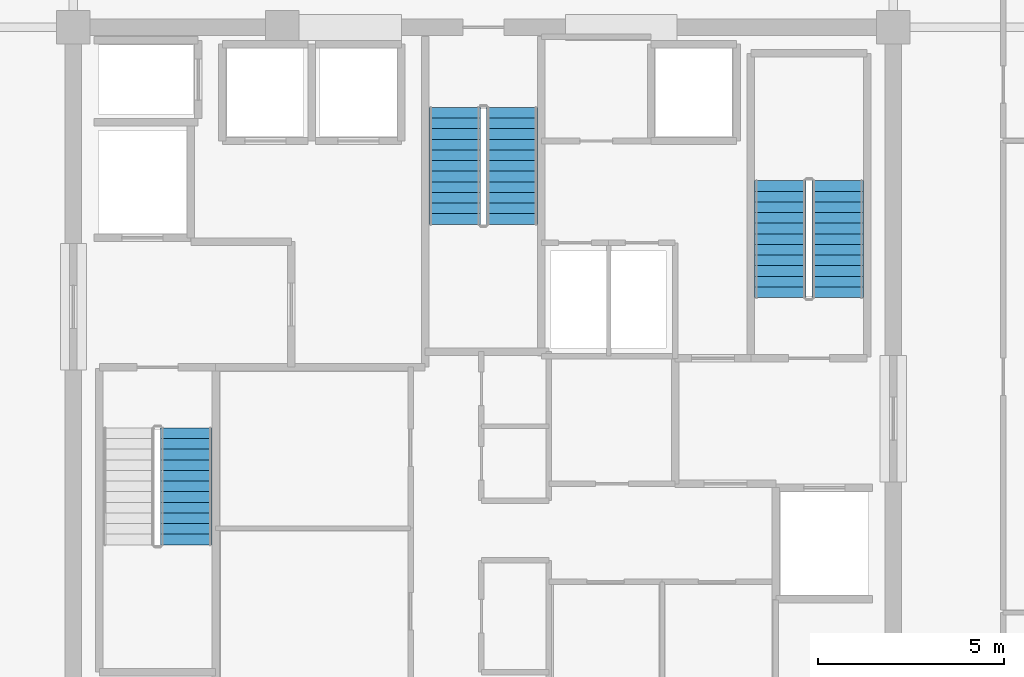
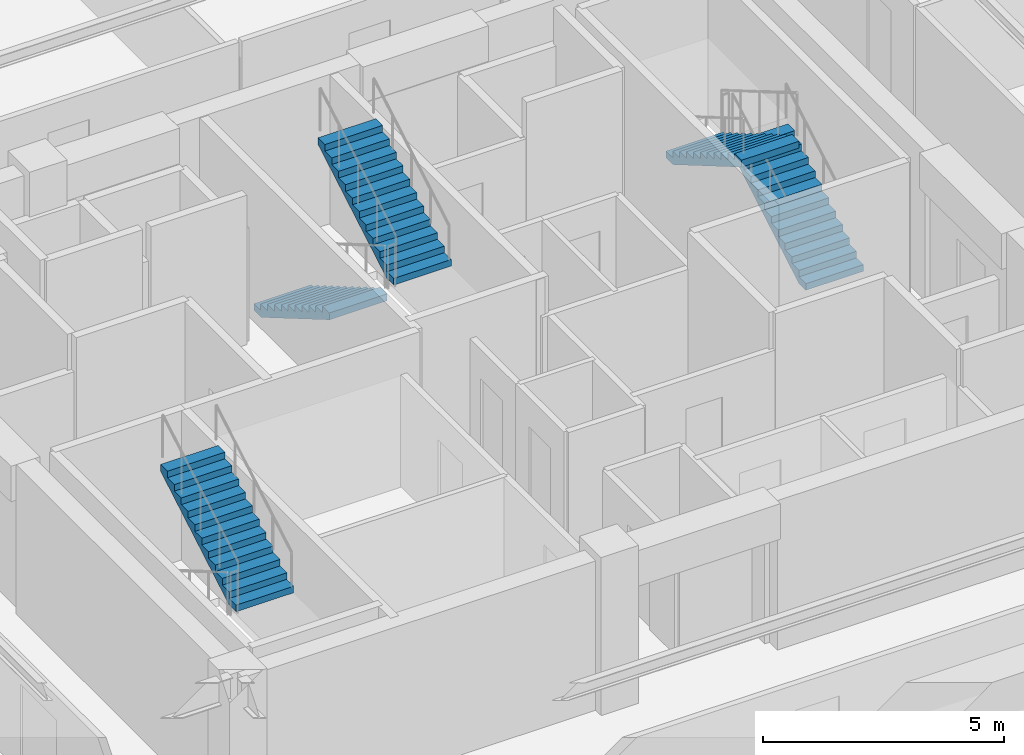
# One storey, part 19 of 23: 5 stair flights, 3 elements without a shape of their own.
"""IFC4 building model written with IfcOpenShell, lengths in metres."""

from ifc_helpers import new_model, si_unit, direction, frame, origin, place, context, subcontext, project, spatial, polyline, outline, extrude, material, type_object, element, aggregate, save


model = new_model("IFC4")

# Units and contexts
model_context = context("Model", 3, precision=1e-05, world=origin(), true_north=direction((0.0, 1.0)))
body_context = subcontext(model_context, "Body", "Model", "MODEL_VIEW")
ifc_project = project(units=[si_unit("LENGTHUNIT", "METRE"), si_unit("AREAUNIT", "SQUARE_METRE"), si_unit("VOLUMEUNIT", "CUBIC_METRE"), si_unit("PLANEANGLEUNIT", "RADIAN"), si_unit("MASSUNIT", "GRAM", prefix="KILO")], contexts=[model_context])

# Site, building, storey
site_placement = place(None, origin())
site = spatial("IfcSite", under=ifc_project, at=site_placement, CompositionType="ELEMENT")
building_placement = place(site_placement, origin())
building = spatial("IfcBuilding", under=site, at=building_placement, Name="Kovane Verandah Tower", CompositionType="ELEMENT")
storey_placement = place(building_placement, frame((0.0, 0.0, 267.199951171875)))
storey = spatial("IfcBuildingStorey", under=building, at=storey_placement, Name="L62", CompositionType="ELEMENT", Elevation=267.199951171875)

# Stair, stair flight
ifc_material = material(Name="Concrete C45/55", Category="concrete")
stair_type = type_object("IfcStairType", Name="ST-CORE-1380", PredefinedType="HALF_TURN_STAIR", material=ifc_material)
stair_1_placement = place(storey_placement, origin())
stair_1 = element("IfcStair", 1, at=stair_1_placement, inside=storey, type_object=stair_type, Name="L62 Exit Stair ST-01", PredefinedType="HALF_TURN_STAIR")
stair_flight_type = type_object("IfcStairFlightType", Name="STF-CORE-1380", PredefinedType="STRAIGHT", material=ifc_material)
stair_flight_1_placement = place(storey_placement, frame((32.030029296875, 22.614990234375, 2.0), z_axis=(0.0, 0.0, 1.0), x_axis=(0.0, 1.0, 0.0)))
stair_flight_1 = element("IfcStairFlight", 2, at=stair_flight_1_placement, type_object=stair_flight_type, Name="ST-01 flight 2", NumberOfRisers=12, NumberOfTreads=11, PredefinedType="STRAIGHT", RiserHeight=0.166666667, TreadLength=0.285, context=body_context, shape_type="SweptSolid", body=[
    extrude(outline(polyline([(0.0, 0.0), (0.0, 0.166748046875), (0.284912109375, 0.166748046875), (0.284912109375, 0.333251953125), (0.570068359375, 0.333251953125), (0.570068359375, 0.5), (0.85498046875, 0.5), (0.85498046875, 0.666748046875), (1.139892578125, 0.666748046875), (1.139892578125, 0.833251953125), (1.425048828125, 0.833251953125), (1.425048828125, 1.0), (1.7099609375, 1.0), (1.7099609375, 1.166748046875), (1.9951171875, 1.166748046875), (1.9951171875, 1.333251953125), (2.280029296875, 1.333251953125), (2.280029296875, 1.5), (2.56494140625, 1.5), (2.56494140625, 1.666748046875), (2.85009765625, 1.666748046875), (2.85009765625, 1.833251953125), (3.135009765625, 1.833251953125), (3.135009765625, 2.0), (3.135009765625, 1.65966796875), (0.296875, 0.0), (0.0, 0.0)])), frame((0.0, 0.68994140625, 0.0), z_axis=(0.0, -1.0, 0.0), x_axis=(1.0, 0.0, 0.0)), (0.0, 0.0, 1.0), 1.3798828125),
])
aggregate(stair_1, [stair_flight_1])

# Stair, stair flights
stair_2_placement = place(storey_placement, origin())
stair_2 = element("IfcStair", 3, at=stair_2_placement, inside=storey, type_object=stair_type, Name="L62 Exit Stair ST-02", PredefinedType="HALF_TURN_STAIR")
stair_flight_2_placement = place(storey_placement, frame((49.510009765625, 29.25, 0.0), z_axis=(0.0, 0.0, 1.0), x_axis=(0.0, 1.0, 0.0)))
stair_flight_2 = element("IfcStairFlight", 4, at=stair_flight_2_placement, type_object=stair_flight_type, Name="ST-02 flight 1", NumberOfRisers=12, NumberOfTreads=11, PredefinedType="STRAIGHT", RiserHeight=0.166666667, TreadLength=0.285, context=body_context, shape_type="SweptSolid", body=[
    extrude(outline(polyline([(0.0, 0.0), (0.0, 0.166748046875), (0.284912109375, 0.166748046875), (0.284912109375, 0.333251953125), (0.570068359375, 0.333251953125), (0.570068359375, 0.5), (0.85498046875, 0.5), (0.85498046875, 0.666748046875), (1.139892578125, 0.666748046875), (1.139892578125, 0.833251953125), (1.425048828125, 0.833251953125), (1.425048828125, 1.0), (1.7099609375, 1.0), (1.7099609375, 1.166748046875), (1.9951171875, 1.166748046875), (1.9951171875, 1.333251953125), (2.280029296875, 1.333251953125), (2.280029296875, 1.5), (2.56494140625, 1.5), (2.56494140625, 1.666748046875), (2.85009765625, 1.666748046875), (2.85009765625, 1.833251953125), (3.135009765625, 1.833251953125), (3.135009765625, 2.0), (3.135009765625, 1.65966796875), (0.296875, 0.0), (0.0, 0.0)])), frame((0.0, 0.68994140625, 0.0), z_axis=(0.0, -1.0, 0.0), x_axis=(1.0, 0.0, 0.0)), (0.0, 0.0, 1.0), 1.3798828125),
])
stair_flight_3_placement = place(storey_placement, frame((47.969970703125, 32.385009765625, 2.0), z_axis=(0.0, 0.0, 1.0), x_axis=(0.0, -1.0, 0.0)))
stair_flight_3 = element("IfcStairFlight", 5, at=stair_flight_3_placement, type_object=stair_flight_type, Name="ST-02 flight 2", NumberOfRisers=12, NumberOfTreads=11, PredefinedType="STRAIGHT", RiserHeight=0.166666667, TreadLength=0.285, context=body_context, shape_type="SweptSolid", body=[
    extrude(outline(polyline([(0.0, 0.0), (0.0, 0.166748046875), (0.284912109375, 0.166748046875), (0.284912109375, 0.333251953125), (0.570068359375, 0.333251953125), (0.570068359375, 0.5), (0.85498046875, 0.5), (0.85498046875, 0.666748046875), (1.139892578125, 0.666748046875), (1.139892578125, 0.833251953125), (1.425048828125, 0.833251953125), (1.425048828125, 1.0), (1.7099609375, 1.0), (1.7099609375, 1.166748046875), (1.9951171875, 1.166748046875), (1.9951171875, 1.333251953125), (2.280029296875, 1.333251953125), (2.280029296875, 1.5), (2.56494140625, 1.5), (2.56494140625, 1.666748046875), (2.85009765625, 1.666748046875), (2.85009765625, 1.833251953125), (3.135009765625, 1.833251953125), (3.135009765625, 2.0), (3.135009765625, 1.65966796875), (0.296875, 0.0), (0.0, 0.0)])), frame((0.0, 0.68994140625, 0.0), z_axis=(0.0, -1.0, 0.0), x_axis=(1.0, 0.0, 0.0)), (0.0, 0.0, 1.0), 1.3798828125),
])
aggregate(stair_2, [stair_flight_2, stair_flight_3])

stair_3_placement = place(storey_placement, origin())
stair_3 = element("IfcStair", 6, at=stair_3_placement, inside=storey, type_object=stair_type, Name="L62 Exit Stair ST-03", PredefinedType="HALF_TURN_STAIR")
stair_flight_4_placement = place(storey_placement, frame((39.22998046875, 34.35009765625, 0.0), z_axis=(0.0, 0.0, 1.0), x_axis=(0.0, -1.0, 0.0)))
stair_flight_4 = element("IfcStairFlight", 7, at=stair_flight_4_placement, type_object=stair_flight_type, Name="ST-03 flight 1", NumberOfRisers=12, NumberOfTreads=11, PredefinedType="STRAIGHT", RiserHeight=0.166666667, TreadLength=0.285, context=body_context, shape_type="SweptSolid", body=[
    extrude(outline(polyline([(0.0, 0.0), (0.0, 0.166748046875), (0.284912109375, 0.166748046875), (0.284912109375, 0.333251953125), (0.570068359375, 0.333251953125), (0.570068359375, 0.5), (0.85498046875, 0.5), (0.85498046875, 0.666748046875), (1.139892578125, 0.666748046875), (1.139892578125, 0.833251953125), (1.425048828125, 0.833251953125), (1.425048828125, 1.0), (1.7099609375, 1.0), (1.7099609375, 1.166748046875), (1.9951171875, 1.166748046875), (1.9951171875, 1.333251953125), (2.280029296875, 1.333251953125), (2.280029296875, 1.5), (2.56494140625, 1.5), (2.56494140625, 1.666748046875), (2.85009765625, 1.666748046875), (2.85009765625, 1.833251953125), (3.135009765625, 1.833251953125), (3.135009765625, 2.0), (3.135009765625, 1.65966796875), (0.296875, 0.0), (0.0, 0.0)])), frame((0.0, 0.68994140625, 0.0), z_axis=(0.0, -1.0, 0.0), x_axis=(1.0, 0.0, 0.0)), (0.0, 0.0, 1.0), 1.3798828125),
])
stair_flight_5_placement = place(storey_placement, frame((40.77001953125, 31.215087890625, 2.0), z_axis=(0.0, 0.0, 1.0), x_axis=(0.0, 1.0, 0.0)))
stair_flight_5 = element("IfcStairFlight", 8, at=stair_flight_5_placement, type_object=stair_flight_type, Name="ST-03 flight 2", NumberOfRisers=12, NumberOfTreads=11, PredefinedType="STRAIGHT", RiserHeight=0.166666667, TreadLength=0.285, context=body_context, shape_type="SweptSolid", body=[
    extrude(outline(polyline([(0.0, 0.0), (0.0, 0.166748046875), (0.284912109375, 0.166748046875), (0.284912109375, 0.333251953125), (0.570068359375, 0.333251953125), (0.570068359375, 0.5), (0.85498046875, 0.5), (0.85498046875, 0.666748046875), (1.139892578125, 0.666748046875), (1.139892578125, 0.833251953125), (1.425048828125, 0.833251953125), (1.425048828125, 1.0), (1.7099609375, 1.0), (1.7099609375, 1.166748046875), (1.9951171875, 1.166748046875), (1.9951171875, 1.333251953125), (2.280029296875, 1.333251953125), (2.280029296875, 1.5), (2.56494140625, 1.5), (2.56494140625, 1.666748046875), (2.85009765625, 1.666748046875), (2.85009765625, 1.833251953125), (3.135009765625, 1.833251953125), (3.135009765625, 2.0), (3.135009765625, 1.65966796875), (0.296875, 0.0), (0.0, 0.0)])), frame((0.0, 0.68994140625, 0.0), z_axis=(0.0, -1.0, 0.0), x_axis=(1.0, 0.0, 0.0)), (0.0, 0.0, 1.0), 1.3798828125),
])
aggregate(stair_3, [stair_flight_4, stair_flight_5])

save(model, "model.ifc")
